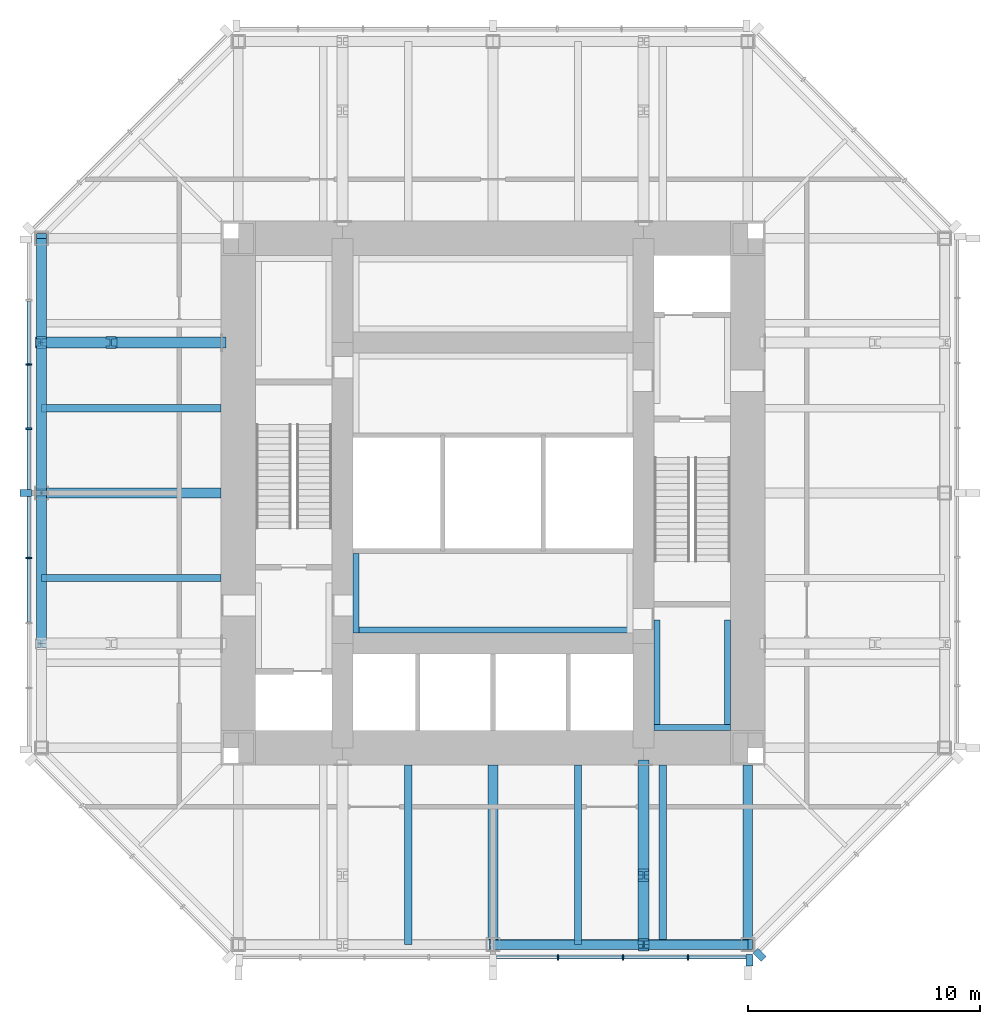
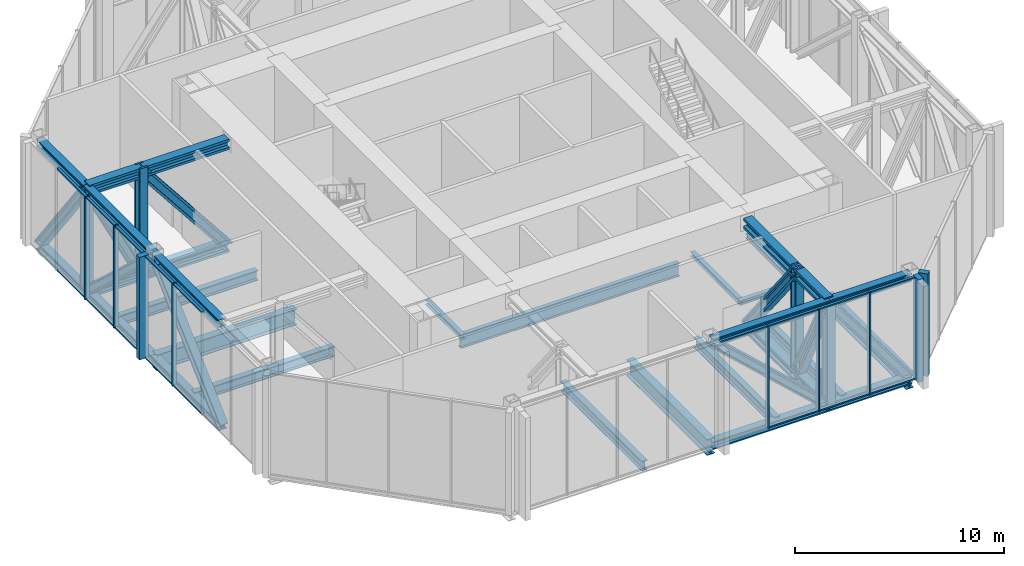
# One storey, part 3 of 11: 39 members, 29 beams, 3 elements without a shape of their own.
"""IFC4 building model written with IfcOpenShell, lengths in metres."""

from ifc_helpers import new_model, si_unit, direction, frame, origin, origin_2d, place, context, subcontext, project, spatial, rectangle, i_section, extrude, material, material_profile, profile_set, type_object, element, aggregate, save


model = new_model("IFC4")

# Units and contexts
model_context = context("Model", 3, precision=1e-05, world=origin(), true_north=direction((0.0, 1.0)))
body_context = subcontext(model_context, "Body", "Model", "MODEL_VIEW")
ifc_project = project(units=[si_unit("LENGTHUNIT", "METRE"), si_unit("AREAUNIT", "SQUARE_METRE"), si_unit("VOLUMEUNIT", "CUBIC_METRE"), si_unit("PLANEANGLEUNIT", "RADIAN"), si_unit("MASSUNIT", "GRAM", prefix="KILO")], contexts=[model_context])

# Site, building, storey
site_placement = place(None, origin())
site = spatial("IfcSite", under=ifc_project, at=site_placement, CompositionType="ELEMENT")
building_placement = place(site_placement, origin())
building = spatial("IfcBuilding", under=site, at=building_placement, Name="Trevanion Tower", CompositionType="ELEMENT")
storey_placement = place(building_placement, frame((0.0, 0.0, 257.199951171875)))
storey = spatial("IfcBuildingStorey", under=building, at=storey_placement, Name="L63", CompositionType="ELEMENT", Elevation=257.199951171875)

# Beams
ifc_material_1 = material(Name="Steel ASTM A992 Grade 50", Category="steel")
ifc_material_profile_1 = material_profile(ifc_material_1, i_section(OverallWidth=0.320068359375, OverallDepth=0.584228515625, WebThickness=0.023193359375, FlangeThickness=0.04150390625, at=origin_2d()), Name="W21X201")
ifc_profile_set_1 = profile_set([ifc_material_profile_1], Name="Steel ASTM A992 Grade 50")
beam_type_1 = type_object("IfcBeamType", Name="B13 W21X201", PredefinedType="BEAM", material=ifc_profile_set_1)
for number, where, z_axis, x_axis, name in (
    (1, (-11.75, 3.666748046875, -0.48193359375), (-1.0, 0.0, 0.0), (0.0, -1.0, 0.0), "B13 L63"),
    (2, (-11.75, -3.666748046875, -0.48193359375), (-1.0, 0.0, 0.0), (0.0, -1.0, 0.0), "B13 L63"),
    (3, (-3.666748046875, -11.75, -0.48193359375), (0.0, -1.0, 0.0), (1.0, 0.0, 0.0), "B13 L63"),
    (4, (3.666748046875, -11.75, -0.48193359375), (0.0, -1.0, 0.0), (1.0, 0.0, 0.0), "B13 L63"),
    (5, (7.333251953125, -11.75, -0.48193359375), (0.0, -1.0, 0.0), (1.0, 0.0, 0.0), "B13 L63"),
):
    element("IfcBeam", number, at=place(storey_placement, frame(where, z_axis=z_axis, x_axis=x_axis)), inside=storey, type_object=beam_type_1, Name=name, PredefinedType="BEAM", context=body_context, shape_type="SweptSolid", body=[
        extrude(i_section(OverallWidth=0.320068359375, OverallDepth=0.584228515625, WebThickness=0.023193359375, FlangeThickness=0.04150390625, at=origin_2d()), origin(), (0.0, 0.0, 1.0), 7.75),
    ])
ifc_material_2 = material(Name="Steel ASTM A992 Grade 50", Category="steel")
ifc_material_profile_2 = material_profile(ifc_material_2, i_section(OverallWidth=0.421630859375, OverallDepth=0.46484375, WebThickness=0.044921875, FlangeThickness=0.072509765625, at=origin_2d()), Name="W14X398")
ifc_profile_set_2 = profile_set([ifc_material_profile_2], Name="Steel ASTM A992 Grade 50")
beam_type_2 = type_object("IfcBeamType", Name="BT3-CH W14X398", PredefinedType="BEAM", material=ifc_profile_set_2)
for number, where, z_axis, x_axis, name in (
    (6, (-19.5, 11.0, -0.48974609375), (0.0, -1.0, 0.0), (1.0, 0.0, 0.0), "BT3 belt truss chord"),
    (7, (-19.5, 11.0, 5.51025390625), (0.0, -1.0, 0.0), (1.0, 0.0, 0.0), "BT3 belt truss chord"),
):
    element("IfcBeam", number, at=place(storey_placement, frame(where, z_axis=z_axis, x_axis=x_axis)), inside=storey, type_object=beam_type_2, Name=name, PredefinedType="BEAM", context=body_context, shape_type="SweptSolid", body=[
        extrude(i_section(OverallWidth=0.421630859375, OverallDepth=0.46484375, WebThickness=0.044921875, FlangeThickness=0.072509765625, at=origin_2d()), origin(), (0.0, 0.0, 1.0), 4.5),
    ])
for number, where, z_axis, x_axis, name in (
    (8, (-19.5, 6.5, -0.48974609375), (0.0, -1.0, 0.0), (1.0, 0.0, 0.0), "BT3 belt truss chord"),
    (9, (-19.5, 6.5, 5.51025390625), (0.0, -1.0, 0.0), (1.0, 0.0, 0.0), "BT3 belt truss chord"),
    (10, (-19.5, 0.0, -0.48974609375), (0.0, -1.0, 0.0), (1.0, 0.0, 0.0), "BT3 belt truss chord"),
    (11, (-19.5, 0.0, 5.51025390625), (0.0, -1.0, 0.0), (1.0, 0.0, 0.0), "BT3 belt truss chord"),
    (12, (0.0, -19.5, -0.48974609375), (1.0, 0.0, 0.0), (0.0, 1.0, 0.0), "BT3 belt truss chord"),
    (13, (0.0, -19.5, 5.51025390625), (1.0, 0.0, 0.0), (0.0, 1.0, 0.0), "BT3 belt truss chord"),
):
    element("IfcBeam", number, at=place(storey_placement, frame(where, z_axis=z_axis, x_axis=x_axis)), inside=storey, type_object=beam_type_2, Name=name, PredefinedType="BEAM", context=body_context, shape_type="SweptSolid", body=[
        extrude(i_section(OverallWidth=0.421630859375, OverallDepth=0.46484375, WebThickness=0.044921875, FlangeThickness=0.072509765625, at=origin_2d()), origin(), (0.0, 0.0, 1.0), 6.5),
    ])
for number, where, z_axis, x_axis, name in (
    (14, (6.5, -19.5, -0.48974609375), (1.0, 0.0, 0.0), (0.0, 1.0, 0.0), "BT3 belt truss chord"),
    (15, (6.5, -19.5, 5.51025390625), (1.0, 0.0, 0.0), (0.0, 1.0, 0.0), "BT3 belt truss chord"),
):
    element("IfcBeam", number, at=place(storey_placement, frame(where, z_axis=z_axis, x_axis=x_axis)), inside=storey, type_object=beam_type_2, Name=name, PredefinedType="BEAM", context=body_context, shape_type="SweptSolid", body=[
        extrude(i_section(OverallWidth=0.421630859375, OverallDepth=0.46484375, WebThickness=0.044921875, FlangeThickness=0.072509765625, at=origin_2d()), origin(), (0.0, 0.0, 1.0), 4.5),
    ])

# Members
ifc_material_3 = material(Name="Steel ASTM A992 Grade 50", Category="steel")
ifc_material_profile_3 = material_profile(ifc_material_3, i_section(OverallWidth=0.431884765625, OverallDepth=0.497802734375, WebThickness=0.0556640625, FlangeThickness=0.0888671875, at=origin_2d()), Name="W14X500")
ifc_profile_set_3 = profile_set([ifc_material_profile_3], Name="Steel ASTM A992 Grade 50")
member_type_1 = type_object("IfcMemberType", Name="BT3-D W14X500", PredefinedType="BRACE", material=ifc_profile_set_3)
member_1_placement = place(storey_placement, frame((-19.5, 11.0, -0.48974609375), z_axis=(0.0, -0.6, 0.8), x_axis=(1.0, 0.0, 0.0)))
element("IfcMember", 16, at=member_1_placement, inside=storey, type_object=member_type_1, Name="BT3 belt truss diagonal", PredefinedType="BRACE", context=body_context, shape_type="SweptSolid", body=[
    extrude(i_section(OverallWidth=0.431884765625, OverallDepth=0.497802734375, WebThickness=0.0556640625, FlangeThickness=0.0888671875, at=origin_2d()), origin(), (0.0, 0.0, 1.0), 7.5),
])
for number, where, z_axis, x_axis, name in (
    (17, (-19.5, 6.5, -0.48974609375), (0.0, -0.734803444627, 0.678280102733), (1.0, 0.0, 0.0), "BT3 belt truss diagonal"),
    (18, (-19.5, -6.5, -0.48974609375), (0.0, 0.734803444627, 0.678280102733), (-1.0, 0.0, 0.0), "BT3 belt truss diagonal"),
    (19, (6.5, -19.5, -0.48974609375), (-0.734803444627, 0.0, 0.678280102733), (0.0, -1.0, 0.0), "BT3 belt truss diagonal"),
):
    element("IfcMember", number, at=place(storey_placement, frame(where, z_axis=z_axis, x_axis=x_axis)), inside=storey, type_object=member_type_1, Name=name, PredefinedType="BRACE", context=body_context, shape_type="SweptSolid", body=[
        extrude(i_section(OverallWidth=0.431884765625, OverallDepth=0.497802734375, WebThickness=0.0556640625, FlangeThickness=0.0888671875, at=origin_2d()), origin(), (0.0, 0.0, 1.0), 8.845947265625),
    ])
member_2_placement = place(storey_placement, frame((11.0, -19.5, -0.48974609375), z_axis=(-0.6, 0.0, 0.8), x_axis=(0.0, -1.0, 0.0)))
element("IfcMember", 20, at=member_2_placement, inside=storey, type_object=member_type_1, Name="BT3 belt truss diagonal", PredefinedType="BRACE", context=body_context, shape_type="SweptSolid", body=[
    extrude(i_section(OverallWidth=0.431884765625, OverallDepth=0.497802734375, WebThickness=0.0556640625, FlangeThickness=0.0888671875, at=origin_2d()), origin(), (0.0, 0.0, 1.0), 7.5),
])
ifc_material_4 = material(Name="Steel ASTM A992 Grade 50", Category="steel")
ifc_material_profile_4 = material_profile(ifc_material_4, i_section(OverallWidth=0.44189453125, OverallDepth=0.53076171875, WebThickness=0.06591796875, FlangeThickness=0.105712890625, at=origin_2d()), Name="W14X605")
ifc_profile_set_4 = profile_set([ifc_material_profile_4], Name="Steel ASTM A992 Grade 50")
member_type_2 = type_object("IfcMemberType", Name="BT3-V W14X605", PredefinedType="POST", material=ifc_profile_set_4)
for number, where, z_axis, x_axis, name in (
    (21, (-19.5, 6.5, -0.48974609375), (0.0, 0.0, 1.0), (1.0, 0.0, 0.0), "BT3 belt truss vertical"),
    (22, (6.5, -19.5, -0.48974609375), (0.0, 0.0, 1.0), (1.0, 0.0, 0.0), "BT3 belt truss vertical"),
):
    element("IfcMember", number, at=place(storey_placement, frame(where, z_axis=z_axis, x_axis=x_axis)), inside=storey, type_object=member_type_2, Name=name, PredefinedType="POST", context=body_context, shape_type="SweptSolid", body=[
        extrude(i_section(OverallWidth=0.44189453125, OverallDepth=0.53076171875, WebThickness=0.06591796875, FlangeThickness=0.105712890625, at=origin_2d()), origin(), (0.0, 0.0, 1.0), 6.0),
    ])

# Curtain wall, members
ifc_material_5 = material(Name="Aluminium louvres", Category="aluminium")
curtain_wall_type = type_object("IfcCurtainWallType", Name="CWL curtain wall", PredefinedType="USERDEFINED", material=ifc_material_5)
curtain_wall_1_placement = place(storey_placement, origin())
curtain_wall_1 = element("IfcCurtainWall", 23, at=curtain_wall_1_placement, inside=storey, type_object=curtain_wall_type, Name="CWL L63 4", ObjectType="LOUVRE SCREEN", PredefinedType="USERDEFINED")
ifc_material_6 = material(Name="Aluminium extrusion, anodised bronze", Category="aluminium")
ifc_material_profile_5 = material_profile(ifc_material_6, rectangle(XDim=0.074951171875, YDim=0.25, at=origin_2d()), Name="CWL mullion")
ifc_profile_set_5 = profile_set([ifc_material_profile_5], Name="Aluminium extrusion, anodised bronze")
member_type_3 = type_object("IfcMemberType", Name="CWL mullion", PredefinedType="MULLION", material=ifc_profile_set_5)
member_3_placement = place(storey_placement, frame((-20.050048828125, 5.548828125, -0.18994140625), z_axis=(0.0, 0.0, 1.0), x_axis=(0.0, -1.0, 0.0)))
member_3 = element("IfcMember", 24, at=member_3_placement, type_object=member_type_3, Name="CWL mullion 3", PredefinedType="MULLION", context=body_context, shape_type="SweptSolid", body=[
    extrude(rectangle(XDim=0.074951171875, YDim=0.25, at=origin_2d()), origin(), (0.0, 0.0, 1.0), 6.0),
])
member_4_placement = place(storey_placement, frame((-20.050048828125, 2.7744140625, -0.18994140625), z_axis=(0.0, 0.0, 1.0), x_axis=(0.0, -1.0, 0.0)))
member_4 = element("IfcMember", 25, at=member_4_placement, type_object=member_type_3, Name="CWL mullion 4", PredefinedType="MULLION", context=body_context, shape_type="SweptSolid", body=[
    extrude(rectangle(XDim=0.074951171875, YDim=0.25, at=origin_2d()), origin(), (0.0, 0.0, 1.0), 6.0),
])
member_5_placement = place(storey_placement, frame((-20.050048828125, -2.806884765625, -0.18994140625), z_axis=(0.0, 0.0, 1.0), x_axis=(0.0, -1.0, 0.0)))
member_5 = element("IfcMember", 26, at=member_5_placement, type_object=member_type_3, Name="CWL mullion 6", PredefinedType="MULLION", context=body_context, shape_type="SweptSolid", body=[
    extrude(rectangle(XDim=0.074951171875, YDim=0.25, at=origin_2d()), origin(), (0.0, 0.0, 1.0), 6.0),
])

curtain_wall_2_placement = place(storey_placement, origin())
curtain_wall_2 = element("IfcCurtainWall", 27, at=curtain_wall_2_placement, inside=storey, type_object=curtain_wall_type, Name="CWL L63 6", ObjectType="LOUVRE SCREEN", PredefinedType="USERDEFINED")
member_6_placement = place(storey_placement, frame((2.806884765625, -20.050048828125, -0.18994140625), z_axis=(0.0, 0.0, 1.0), x_axis=(1.0, 0.0, 0.0)))
member_6 = element("IfcMember", 28, at=member_6_placement, type_object=member_type_3, Name="CWL mullion 6", PredefinedType="MULLION", context=body_context, shape_type="SweptSolid", body=[
    extrude(rectangle(XDim=0.074951171875, YDim=0.25, at=origin_2d()), origin(), (0.0, 0.0, 1.0), 6.0),
])
member_7_placement = place(storey_placement, frame((5.614013671875, -20.050048828125, -0.18994140625), z_axis=(0.0, 0.0, 1.0), x_axis=(1.0, 0.0, 0.0)))
member_7 = element("IfcMember", 29, at=member_7_placement, type_object=member_type_3, Name="CWL mullion 7", PredefinedType="MULLION", context=body_context, shape_type="SweptSolid", body=[
    extrude(rectangle(XDim=0.074951171875, YDim=0.25, at=origin_2d()), origin(), (0.0, 0.0, 1.0), 6.0),
])
member_8_placement = place(storey_placement, frame((8.4208984375, -20.050048828125, -0.18994140625), z_axis=(0.0, 0.0, 1.0), x_axis=(1.0, 0.0, 0.0)))
member_8 = element("IfcMember", 30, at=member_8_placement, type_object=member_type_3, Name="CWL mullion 8", PredefinedType="MULLION", context=body_context, shape_type="SweptSolid", body=[
    extrude(rectangle(XDim=0.074951171875, YDim=0.25, at=origin_2d()), origin(), (0.0, 0.0, 1.0), 6.0),
])

# Member
ifc_material_7 = material(Name="Aluminium extrusion, anodised bronze", Category="aluminium")
ifc_material_profile_6 = material_profile(ifc_material_7, rectangle(XDim=0.300048828125, YDim=0.5, at=origin_2d()), Name="CWL pier mullion")
ifc_profile_set_6 = profile_set([ifc_material_profile_6], Name="Aluminium extrusion, anodised bronze")
member_type_4 = type_object("IfcMemberType", Name="CWL pier mullion", PredefinedType="MULLION", material=ifc_profile_set_6)
member_9_placement = place(storey_placement, frame((-20.175048828125, 0.0, -0.18994140625), z_axis=(0.0, 0.0, 1.0), x_axis=(0.0, -1.0, 0.0)))
member_9 = element("IfcMember", 31, at=member_9_placement, type_object=member_type_4, Name="CWL pier mullion 5", PredefinedType="MULLION", context=body_context, shape_type="SweptSolid", body=[
    extrude(rectangle(XDim=0.300048828125, YDim=0.5, at=origin_2d()), origin(), (0.0, 0.0, 1.0), 6.0),
])

member_10_placement = place(storey_placement, frame((11.077880859375, -20.175048828125, -0.18994140625), z_axis=(0.0, 0.0, 1.0), x_axis=(1.0, 0.0, 0.0)))
member_10 = element("IfcMember", 32, at=member_10_placement, type_object=member_type_4, Name="CWL pier mullion 9", PredefinedType="MULLION", context=body_context, shape_type="SweptSolid", body=[
    extrude(rectangle(XDim=0.300048828125, YDim=0.5, at=origin_2d()), origin(), (0.0, 0.0, 1.0), 6.0),
])

# Curtain wall, member
curtain_wall_3_placement = place(storey_placement, origin())
curtain_wall_3 = element("IfcCurtainWall", 33, at=curtain_wall_3_placement, inside=storey, type_object=curtain_wall_type, Name="CWL L63 7", ObjectType="LOUVRE SCREEN", PredefinedType="USERDEFINED")
member_11_placement = place(storey_placement, frame((11.51416015625, -19.9404296875, -0.18994140625), z_axis=(0.0, 0.0, 1.0), x_axis=(0.707106781187, 0.707106781187, 0.0)))
member_11 = element("IfcMember", 34, at=member_11_placement, type_object=member_type_4, Name="CWL pier mullion 1", PredefinedType="MULLION", context=body_context, shape_type="SweptSolid", body=[
    extrude(rectangle(XDim=0.300048828125, YDim=0.5, at=origin_2d()), origin(), (0.0, 0.0, 1.0), 6.0),
])
aggregate(curtain_wall_3, [member_11])

# Member
ifc_material_8 = material(Name="Aluminium extrusion, anodised bronze", Category="aluminium")
ifc_material_profile_7 = material_profile(ifc_material_8, rectangle(XDim=0.14990234375, YDim=0.074951171875, at=origin_2d()), Name="CWL transom")
ifc_profile_set_7 = profile_set([ifc_material_profile_7], Name="Aluminium extrusion, anodised bronze")
member_type_5 = type_object("IfcMemberType", Name="CWL transom", PredefinedType="USERDEFINED", material=ifc_profile_set_7)
member_12_placement = place(storey_placement, frame((-20.050048828125, 8.285888671875, -0.15234375), z_axis=(0.0, -1.0, 0.0), x_axis=(1.0, 0.0, 0.0)))
member_12 = element("IfcMember", 35, at=member_12_placement, type_object=member_type_5, Name="CWL transom 2.1", ObjectType="TRANSOM", PredefinedType="USERDEFINED", context=body_context, shape_type="SweptSolid", body=[
    extrude(rectangle(XDim=0.14990234375, YDim=0.074951171875, at=origin_2d()), origin(), (0.0, 0.0, 1.0), 2.699462890625),
])

member_13_placement = place(storey_placement, frame((-20.050048828125, 8.285888671875, 5.7724609375), z_axis=(0.0, -1.0, 0.0), x_axis=(1.0, 0.0, 0.0)))
member_13 = element("IfcMember", 36, at=member_13_placement, type_object=member_type_5, Name="CWL transom 2.2", ObjectType="TRANSOM", PredefinedType="USERDEFINED", context=body_context, shape_type="SweptSolid", body=[
    extrude(rectangle(XDim=0.14990234375, YDim=0.074951171875, at=origin_2d()), origin(), (0.0, 0.0, 1.0), 2.699462890625),
])

member_14_placement = place(storey_placement, frame((-20.050048828125, 5.511474609375, -0.15234375), z_axis=(0.0, -1.0, 0.0), x_axis=(1.0, 0.0, 0.0)))
member_14 = element("IfcMember", 37, at=member_14_placement, type_object=member_type_5, Name="CWL transom 3.1", ObjectType="TRANSOM", PredefinedType="USERDEFINED", context=body_context, shape_type="SweptSolid", body=[
    extrude(rectangle(XDim=0.14990234375, YDim=0.074951171875, at=origin_2d()), origin(), (0.0, 0.0, 1.0), 2.699462890625),
])

member_15_placement = place(storey_placement, frame((-20.050048828125, 5.511474609375, 5.7724609375), z_axis=(0.0, -1.0, 0.0), x_axis=(1.0, 0.0, 0.0)))
member_15 = element("IfcMember", 38, at=member_15_placement, type_object=member_type_5, Name="CWL transom 3.2", ObjectType="TRANSOM", PredefinedType="USERDEFINED", context=body_context, shape_type="SweptSolid", body=[
    extrude(rectangle(XDim=0.14990234375, YDim=0.074951171875, at=origin_2d()), origin(), (0.0, 0.0, 1.0), 2.699462890625),
])

member_16_placement = place(storey_placement, frame((-20.050048828125, 2.737060546875, -0.15234375), z_axis=(0.0, -1.0, 0.0), x_axis=(1.0, 0.0, 0.0)))
member_16 = element("IfcMember", 39, at=member_16_placement, type_object=member_type_5, Name="CWL transom 4.1", ObjectType="TRANSOM", PredefinedType="USERDEFINED", context=body_context, shape_type="SweptSolid", body=[
    extrude(rectangle(XDim=0.14990234375, YDim=0.074951171875, at=origin_2d()), origin(), (0.0, 0.0, 1.0), 2.587158203125),
])

member_17_placement = place(storey_placement, frame((-20.050048828125, 2.737060546875, 5.7724609375), z_axis=(0.0, -1.0, 0.0), x_axis=(1.0, 0.0, 0.0)))
member_17 = element("IfcMember", 40, at=member_17_placement, type_object=member_type_5, Name="CWL transom 4.2", ObjectType="TRANSOM", PredefinedType="USERDEFINED", context=body_context, shape_type="SweptSolid", body=[
    extrude(rectangle(XDim=0.14990234375, YDim=0.074951171875, at=origin_2d()), origin(), (0.0, 0.0, 1.0), 2.587158203125),
])

member_18_placement = place(storey_placement, frame((-20.050048828125, -0.14990234375, -0.15234375), z_axis=(0.0, -1.0, 0.0), x_axis=(1.0, 0.0, 0.0)))
member_18 = element("IfcMember", 41, at=member_18_placement, type_object=member_type_5, Name="CWL transom 5.1", ObjectType="TRANSOM", PredefinedType="USERDEFINED", context=body_context, shape_type="SweptSolid", body=[
    extrude(rectangle(XDim=0.14990234375, YDim=0.074951171875, at=origin_2d()), origin(), (0.0, 0.0, 1.0), 2.619384765625),
])

member_19_placement = place(storey_placement, frame((-20.050048828125, -0.14990234375, 5.7724609375), z_axis=(0.0, -1.0, 0.0), x_axis=(1.0, 0.0, 0.0)))
member_19 = element("IfcMember", 42, at=member_19_placement, type_object=member_type_5, Name="CWL transom 5.2", ObjectType="TRANSOM", PredefinedType="USERDEFINED", context=body_context, shape_type="SweptSolid", body=[
    extrude(rectangle(XDim=0.14990234375, YDim=0.074951171875, at=origin_2d()), origin(), (0.0, 0.0, 1.0), 2.619384765625),
])

member_20_placement = place(storey_placement, frame((-20.050048828125, -2.844482421875, -0.15234375), z_axis=(0.0, -1.0, 0.0), x_axis=(1.0, 0.0, 0.0)))
member_20 = element("IfcMember", 43, at=member_20_placement, type_object=member_type_5, Name="CWL transom 6.1", ObjectType="TRANSOM", PredefinedType="USERDEFINED", context=body_context, shape_type="SweptSolid", body=[
    extrude(rectangle(XDim=0.14990234375, YDim=0.074951171875, at=origin_2d()), origin(), (0.0, 0.0, 1.0), 2.73193359375),
])

member_21_placement = place(storey_placement, frame((-20.050048828125, -2.844482421875, 5.7724609375), z_axis=(0.0, -1.0, 0.0), x_axis=(1.0, 0.0, 0.0)))
member_21 = element("IfcMember", 44, at=member_21_placement, type_object=member_type_5, Name="CWL transom 6.2", ObjectType="TRANSOM", PredefinedType="USERDEFINED", context=body_context, shape_type="SweptSolid", body=[
    extrude(rectangle(XDim=0.14990234375, YDim=0.074951171875, at=origin_2d()), origin(), (0.0, 0.0, 1.0), 2.73193359375),
])

aggregate(curtain_wall_1, [member_3, member_4, member_9, member_5, member_12, member_13, member_14, member_15, member_16, member_17, member_18, member_19, member_20, member_21])

member_22_placement = place(storey_placement, frame((0.14990234375, -20.050048828125, 5.7724609375), z_axis=(1.0, 0.0, 0.0), x_axis=(0.0, 1.0, 0.0)))
member_22 = element("IfcMember", 45, at=member_22_placement, type_object=member_type_5, Name="CWL transom 5.2", ObjectType="TRANSOM", PredefinedType="USERDEFINED", context=body_context, shape_type="SweptSolid", body=[
    extrude(rectangle(XDim=0.14990234375, YDim=0.074951171875, at=origin_2d()), origin(), (0.0, 0.0, 1.0), 2.619384765625),
])

member_23_placement = place(storey_placement, frame((2.844482421875, -20.050048828125, -0.15234375), z_axis=(1.0, 0.0, 0.0), x_axis=(0.0, 1.0, 0.0)))
member_23 = element("IfcMember", 46, at=member_23_placement, type_object=member_type_5, Name="CWL transom 6.1", ObjectType="TRANSOM", PredefinedType="USERDEFINED", context=body_context, shape_type="SweptSolid", body=[
    extrude(rectangle(XDim=0.14990234375, YDim=0.074951171875, at=origin_2d()), origin(), (0.0, 0.0, 1.0), 2.73193359375),
])

member_24_placement = place(storey_placement, frame((2.844482421875, -20.050048828125, 5.7724609375), z_axis=(1.0, 0.0, 0.0), x_axis=(0.0, 1.0, 0.0)))
member_24 = element("IfcMember", 47, at=member_24_placement, type_object=member_type_5, Name="CWL transom 6.2", ObjectType="TRANSOM", PredefinedType="USERDEFINED", context=body_context, shape_type="SweptSolid", body=[
    extrude(rectangle(XDim=0.14990234375, YDim=0.074951171875, at=origin_2d()), origin(), (0.0, 0.0, 1.0), 2.73193359375),
])

member_25_placement = place(storey_placement, frame((5.6513671875, -20.050048828125, -0.15234375), z_axis=(1.0, 0.0, 0.0), x_axis=(0.0, 1.0, 0.0)))
member_25 = element("IfcMember", 48, at=member_25_placement, type_object=member_type_5, Name="CWL transom 7.1", ObjectType="TRANSOM", PredefinedType="USERDEFINED", context=body_context, shape_type="SweptSolid", body=[
    extrude(rectangle(XDim=0.14990234375, YDim=0.074951171875, at=origin_2d()), origin(), (0.0, 0.0, 1.0), 2.73193359375),
])

member_26_placement = place(storey_placement, frame((5.6513671875, -20.050048828125, 5.7724609375), z_axis=(1.0, 0.0, 0.0), x_axis=(0.0, 1.0, 0.0)))
member_26 = element("IfcMember", 49, at=member_26_placement, type_object=member_type_5, Name="CWL transom 7.2", ObjectType="TRANSOM", PredefinedType="USERDEFINED", context=body_context, shape_type="SweptSolid", body=[
    extrude(rectangle(XDim=0.14990234375, YDim=0.074951171875, at=origin_2d()), origin(), (0.0, 0.0, 1.0), 2.73193359375),
])

member_27_placement = place(storey_placement, frame((8.45849609375, -20.050048828125, -0.15234375), z_axis=(1.0, 0.0, 0.0), x_axis=(0.0, 1.0, 0.0)))
member_27 = element("IfcMember", 50, at=member_27_placement, type_object=member_type_5, Name="CWL transom 8.1", ObjectType="TRANSOM", PredefinedType="USERDEFINED", context=body_context, shape_type="SweptSolid", body=[
    extrude(rectangle(XDim=0.14990234375, YDim=0.074951171875, at=origin_2d()), origin(), (0.0, 0.0, 1.0), 2.46923828125),
])

member_28_placement = place(storey_placement, frame((8.45849609375, -20.050048828125, 5.7724609375), z_axis=(1.0, 0.0, 0.0), x_axis=(0.0, 1.0, 0.0)))
member_28 = element("IfcMember", 51, at=member_28_placement, type_object=member_type_5, Name="CWL transom 8.2", ObjectType="TRANSOM", PredefinedType="USERDEFINED", context=body_context, shape_type="SweptSolid", body=[
    extrude(rectangle(XDim=0.14990234375, YDim=0.074951171875, at=origin_2d()), origin(), (0.0, 0.0, 1.0), 2.46923828125),
])

aggregate(curtain_wall_2, [member_6, member_7, member_8, member_10, member_22, member_23, member_24, member_25, member_26, member_27, member_28])

# Beams
ifc_material_9 = material(Name="Steel ASTM A992 Grade 50", Category="steel")
ifc_material_profile_8 = material_profile(ifc_material_9, i_section(OverallWidth=0.419189453125, OverallDepth=0.927001953125, WebThickness=0.019287109375, FlangeThickness=0.031982421875, at=origin_2d()), Name="W36X231")
ifc_profile_set_8 = profile_set([ifc_material_profile_8], Name="Steel ASTM A992 Grade 50")
beam_type_3 = type_object("IfcBeamType", Name="G7 W36X231", PredefinedType="BEAM", material=ifc_profile_set_8)
for number, where, z_axis, x_axis, name in (
    (52, (-11.75, 0.0, -0.653564453125), (-1.0, 0.0, 0.0), (0.0, -1.0, 0.0), "G7 L63"),
    (53, (0.0, -11.75, -0.653564453125), (0.0, -1.0, 0.0), (1.0, 0.0, 0.0), "G7 L63"),
    (54, (11.0, -11.75, -0.653564453125), (0.0, -1.0, 0.0), (1.0, 0.0, 0.0), "G7 L63"),
):
    element("IfcBeam", number, at=place(storey_placement, frame(where, z_axis=z_axis, x_axis=x_axis)), inside=storey, type_object=beam_type_3, Name=name, PredefinedType="BEAM", context=body_context, shape_type="SweptSolid", body=[
        extrude(i_section(OverallWidth=0.419189453125, OverallDepth=0.927001953125, WebThickness=0.019287109375, FlangeThickness=0.031982421875, at=origin_2d()), origin(), (0.0, 0.0, 1.0), 7.75),
    ])
ifc_material_10 = material(Name="Steel ASTM A992 Grade 50", Category="steel")
ifc_material_profile_9 = material_profile(ifc_material_10, i_section(OverallWidth=0.256591796875, OverallDepth=0.26416015625, WebThickness=0.011962890625, FlangeThickness=0.01953125, at=origin_2d()), Name="W10X68")
ifc_profile_set_9 = profile_set([ifc_material_profile_9], Name="Steel ASTM A992 Grade 50")
beam_type_4 = type_object("IfcBeamType", Name="LB1 W10X68", PredefinedType="BEAM", material=ifc_profile_set_9)
beam_1_placement = place(storey_placement, frame((-5.921630859375, -6.050048828125, -0.33203125), z_axis=(0.0, 1.0, 0.0), x_axis=(-1.0, 0.0, 0.0)))
element("IfcBeam", 55, at=beam_1_placement, inside=storey, type_object=beam_type_4, Name="LB1 L63", PredefinedType="BEAM", context=body_context, shape_type="SweptSolid", body=[
    extrude(i_section(OverallWidth=0.256591796875, OverallDepth=0.26416015625, WebThickness=0.011962890625, FlangeThickness=0.01953125, at=origin_2d()), origin(), (0.0, 0.0, 1.0), 3.449951171875),
])
for number, where, z_axis, x_axis, name in (
    (56, (7.078369140625, -10.25, -0.33203125), (0.0, 1.0, 0.0), (-1.0, 0.0, 0.0), "LB1 L63"),
    (57, (10.12158203125, -10.25, -0.33203125), (0.0, 1.0, 0.0), (-1.0, 0.0, 0.0), "LB1 L63"),
):
    element("IfcBeam", number, at=place(storey_placement, frame(where, z_axis=z_axis, x_axis=x_axis)), inside=storey, type_object=beam_type_4, Name=name, PredefinedType="BEAM", context=body_context, shape_type="SweptSolid", body=[
        extrude(i_section(OverallWidth=0.256591796875, OverallDepth=0.26416015625, WebThickness=0.011962890625, FlangeThickness=0.01953125, at=origin_2d()), origin(), (0.0, 0.0, 1.0), 4.77490234375),
    ])
beam_2_placement = place(storey_placement, frame((6.949951171875, -10.12158203125, -0.33203125), z_axis=(1.0, 0.0, 0.0), x_axis=(0.0, 1.0, 0.0)))
element("IfcBeam", 58, at=beam_2_placement, inside=storey, type_object=beam_type_4, Name="LB1 L63", PredefinedType="BEAM", context=body_context, shape_type="SweptSolid", body=[
    extrude(i_section(OverallWidth=0.256591796875, OverallDepth=0.26416015625, WebThickness=0.011962890625, FlangeThickness=0.01953125, at=origin_2d()), origin(), (0.0, 0.0, 1.0), 3.300048828125),
])
ifc_material_11 = material(Name="Steel ASTM A992 Grade 50", Category="steel")
ifc_material_profile_10 = material_profile(ifc_material_11, i_section(OverallWidth=0.2666015625, OverallDepth=0.76953125, WebThickness=0.015625, FlangeThickness=0.025390625, at=origin_2d()), Name="W30X132")
ifc_profile_set_10 = profile_set([ifc_material_profile_10], Name="Steel ASTM A992 Grade 50")
beam_type_5 = type_object("IfcBeamType", Name="LB3 W30X132", PredefinedType="BEAM", material=ifc_profile_set_10)
beam_3_placement = place(storey_placement, frame((-6.050048828125, -5.91650390625, -0.584716796875), z_axis=(1.0, 0.0, 0.0), x_axis=(0.0, 1.0, 0.0)))
element("IfcBeam", 59, at=beam_3_placement, inside=storey, type_object=beam_type_5, Name="LB3 L63", PredefinedType="BEAM", context=body_context, shape_type="SweptSolid", body=[
    extrude(i_section(OverallWidth=0.2666015625, OverallDepth=0.76953125, WebThickness=0.015625, FlangeThickness=0.025390625, at=origin_2d()), origin(), (0.0, 0.0, 1.0), 12.10009765625),
])
ifc_material_12 = material(Name="Steel ASTM A992 Grade 50", Category="steel")
ifc_material_profile_11 = material_profile(ifc_material_12, i_section(OverallWidth=0.4775390625, OverallDepth=0.599365234375, WebThickness=0.10009765625, FlangeThickness=0.139892578125, at=origin_2d()), Name="W14X873")
ifc_profile_set_11 = profile_set([ifc_material_profile_11], Name="Steel ASTM A992 Grade 50")
beam_type_6 = type_object("IfcBeamType", Name="TT3-CH W14X873", PredefinedType="BEAM", material=ifc_profile_set_11)
beam_4_placement = place(storey_placement, frame((-11.75, 6.5, -0.48974609375), z_axis=(-1.0, 0.0, 0.0), x_axis=(0.0, -1.0, 0.0)))
element("IfcBeam", 60, at=beam_4_placement, inside=storey, type_object=beam_type_6, Name="TT3 5/J transfer truss chord", PredefinedType="BEAM", context=body_context, shape_type="SweptSolid", body=[
    extrude(i_section(OverallWidth=0.4775390625, OverallDepth=0.599365234375, WebThickness=0.10009765625, FlangeThickness=0.139892578125, at=origin_2d()), origin(), (0.0, 0.0, 1.0), 7.75),
])
beam_5_placement = place(storey_placement, frame((-11.75, 6.5, 5.51025390625), z_axis=(-1.0, 0.0, 0.0), x_axis=(0.0, -1.0, 0.0)))
element("IfcBeam", 61, at=beam_5_placement, inside=storey, type_object=beam_type_6, Name="TT3 5/J transfer truss chord", PredefinedType="BEAM", context=body_context, shape_type="SweptSolid", body=[
    extrude(i_section(OverallWidth=0.4775390625, OverallDepth=0.599365234375, WebThickness=0.10009765625, FlangeThickness=0.139892578125, at=origin_2d()), origin(), (0.0, 0.0, 1.0), 4.75),
])
beam_6_placement = place(storey_placement, frame((-16.5, 6.5, 5.51025390625), z_axis=(-1.0, 0.0, 0.0), x_axis=(0.0, -1.0, 0.0)))
element("IfcBeam", 62, at=beam_6_placement, inside=storey, type_object=beam_type_6, Name="TT3 5/J transfer truss chord", PredefinedType="BEAM", context=body_context, shape_type="SweptSolid", body=[
    extrude(i_section(OverallWidth=0.4775390625, OverallDepth=0.599365234375, WebThickness=0.10009765625, FlangeThickness=0.139892578125, at=origin_2d()), origin(), (0.0, 0.0, 1.0), 3.0),
])
beam_7_placement = place(storey_placement, frame((6.5, -11.75, -0.48974609375), z_axis=(0.0, -1.0, 0.0), x_axis=(1.0, 0.0, 0.0)))
element("IfcBeam", 63, at=beam_7_placement, inside=storey, type_object=beam_type_6, Name="TT3 11/C transfer truss chord", PredefinedType="BEAM", context=body_context, shape_type="SweptSolid", body=[
    extrude(i_section(OverallWidth=0.4775390625, OverallDepth=0.599365234375, WebThickness=0.10009765625, FlangeThickness=0.139892578125, at=origin_2d()), origin(), (0.0, 0.0, 1.0), 7.75),
])
beam_8_placement = place(storey_placement, frame((6.5, -11.75, 5.51025390625), z_axis=(0.0, -1.0, 0.0), x_axis=(1.0, 0.0, 0.0)))
element("IfcBeam", 64, at=beam_8_placement, inside=storey, type_object=beam_type_6, Name="TT3 11/C transfer truss chord", PredefinedType="BEAM", context=body_context, shape_type="SweptSolid", body=[
    extrude(i_section(OverallWidth=0.4775390625, OverallDepth=0.599365234375, WebThickness=0.10009765625, FlangeThickness=0.139892578125, at=origin_2d()), origin(), (0.0, 0.0, 1.0), 4.75),
])
beam_9_placement = place(storey_placement, frame((6.5, -16.5, 5.51025390625), z_axis=(0.0, -1.0, 0.0), x_axis=(1.0, 0.0, 0.0)))
element("IfcBeam", 65, at=beam_9_placement, inside=storey, type_object=beam_type_6, Name="TT3 11/C transfer truss chord", PredefinedType="BEAM", context=body_context, shape_type="SweptSolid", body=[
    extrude(i_section(OverallWidth=0.4775390625, OverallDepth=0.599365234375, WebThickness=0.10009765625, FlangeThickness=0.139892578125, at=origin_2d()), origin(), (0.0, 0.0, 1.0), 3.0),
])

# Members
ifc_material_13 = material(Name="Steel ASTM A992 Grade 50", Category="steel")
ifc_material_profile_12 = material_profile(ifc_material_13, i_section(OverallWidth=0.45458984375, OverallDepth=0.56884765625, WebThickness=0.077880859375, FlangeThickness=0.124755859375, at=origin_2d()), Name="W14X730")
ifc_profile_set_12 = profile_set([ifc_material_profile_12], Name="Steel ASTM A992 Grade 50")
member_type_6 = type_object("IfcMemberType", Name="TT3-D W14X730", PredefinedType="BRACE", material=ifc_profile_set_12)
member_29_placement = place(storey_placement, frame((-11.75, 6.5, -0.48974609375), z_axis=(-0.620702944366, 0.0, 0.784045824462), x_axis=(0.0, -1.0, 0.0)))
element("IfcMember", 66, at=member_29_placement, inside=storey, type_object=member_type_6, Name="TT3 5/J transfer truss diagonal", PredefinedType="BRACE", context=body_context, shape_type="SweptSolid", body=[
    extrude(i_section(OverallWidth=0.45458984375, OverallDepth=0.56884765625, WebThickness=0.077880859375, FlangeThickness=0.124755859375, at=origin_2d()), origin(), (0.0, 0.0, 1.0), 7.652587890625),
])
member_30_placement = place(storey_placement, frame((-16.5, 6.5, -0.48974609375), z_axis=(-0.4472135955, 0.0, 0.894427191), x_axis=(0.0, -1.0, 0.0)))
element("IfcMember", 67, at=member_30_placement, inside=storey, type_object=member_type_6, Name="TT3 5/J transfer truss diagonal", PredefinedType="BRACE", context=body_context, shape_type="SweptSolid", body=[
    extrude(i_section(OverallWidth=0.45458984375, OverallDepth=0.56884765625, WebThickness=0.077880859375, FlangeThickness=0.124755859375, at=origin_2d()), origin(), (0.0, 0.0, 1.0), 6.708251953125),
])
member_31_placement = place(storey_placement, frame((6.5, -11.75, -0.48974609375), z_axis=(0.0, -0.620702944366, 0.784045824462), x_axis=(1.0, 0.0, 0.0)))
element("IfcMember", 68, at=member_31_placement, inside=storey, type_object=member_type_6, Name="TT3 11/C transfer truss diagonal", PredefinedType="BRACE", context=body_context, shape_type="SweptSolid", body=[
    extrude(i_section(OverallWidth=0.45458984375, OverallDepth=0.56884765625, WebThickness=0.077880859375, FlangeThickness=0.124755859375, at=origin_2d()), origin(), (0.0, 0.0, 1.0), 7.652587890625),
])
member_32_placement = place(storey_placement, frame((6.5, -16.5, -0.48974609375), z_axis=(0.0, -0.4472135955, 0.894427191), x_axis=(1.0, 0.0, 0.0)))
element("IfcMember", 69, at=member_32_placement, inside=storey, type_object=member_type_6, Name="TT3 11/C transfer truss diagonal", PredefinedType="BRACE", context=body_context, shape_type="SweptSolid", body=[
    extrude(i_section(OverallWidth=0.45458984375, OverallDepth=0.56884765625, WebThickness=0.077880859375, FlangeThickness=0.124755859375, at=origin_2d()), origin(), (0.0, 0.0, 1.0), 6.708251953125),
])
ifc_material_14 = material(Name="Steel ASTM A992 Grade 50", Category="steel")
ifc_material_profile_13 = material_profile(ifc_material_14, i_section(OverallWidth=0.44189453125, OverallDepth=0.53076171875, WebThickness=0.06591796875, FlangeThickness=0.105712890625, at=origin_2d()), Name="W14X605")
ifc_profile_set_13 = profile_set([ifc_material_profile_13], Name="Steel ASTM A992 Grade 50")
member_type_7 = type_object("IfcMemberType", Name="TT3-V W14X605", PredefinedType="POST", material=ifc_profile_set_13)
for number, where, z_axis, x_axis, name in (
    (70, (-16.5, 6.5, -0.48974609375), (0.0, 0.0, 1.0), (1.0, 0.0, 0.0), "TT3 5/J transfer truss vertical"),
    (71, (6.5, -16.5, -0.48974609375), (0.0, 0.0, 1.0), (1.0, 0.0, 0.0), "TT3 11/C transfer truss vertical"),
):
    element("IfcMember", number, at=place(storey_placement, frame(where, z_axis=z_axis, x_axis=x_axis)), inside=storey, type_object=member_type_7, Name=name, PredefinedType="POST", context=body_context, shape_type="SweptSolid", body=[
        extrude(i_section(OverallWidth=0.44189453125, OverallDepth=0.53076171875, WebThickness=0.06591796875, FlangeThickness=0.105712890625, at=origin_2d()), origin(), (0.0, 0.0, 1.0), 6.2998046875),
    ])

save(model, "model.ifc")
